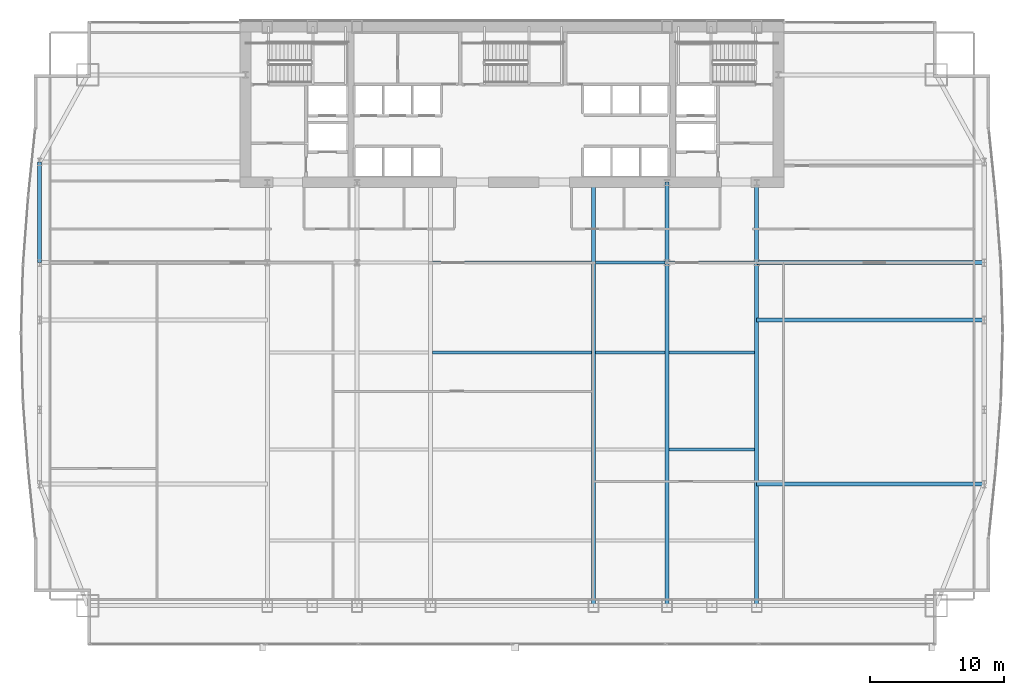
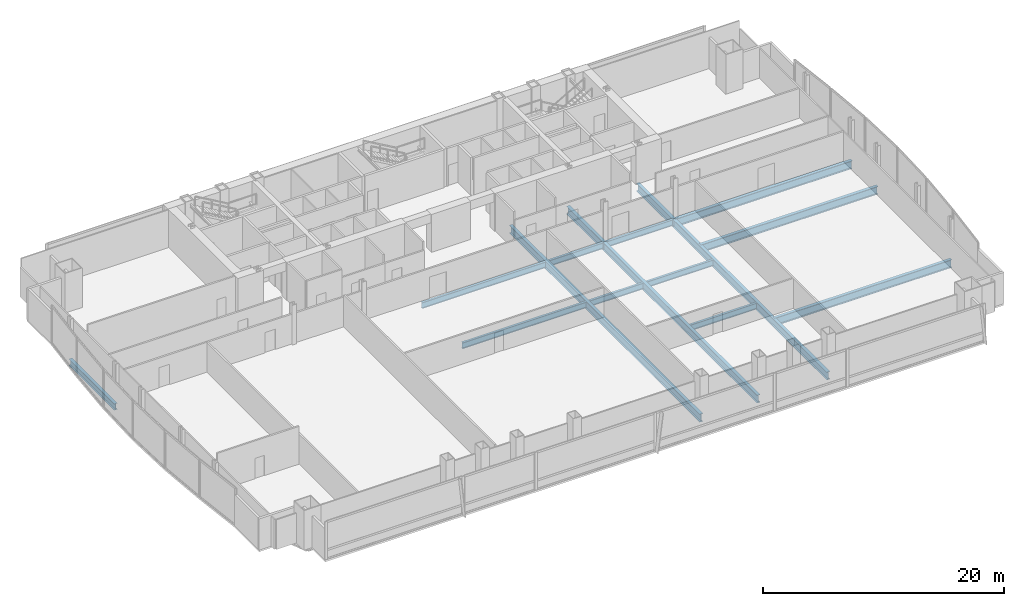
# One storey, part 15 of 32: 16 beams.
"""IFC4 building model written with IfcOpenShell, lengths in metres."""

import ifcopenshell
import ifcopenshell.guid

model = None  # the IFC model being written
_history = None  # IfcOwnerHistory: only IFC2X3 demands one
_inside = {}  # id of a spatial element -> (the spatial element, [elements in it])
_under = {}  # id of a project, library or spatial element -> (it, [spatial elements below it])
_declared = {}  # id of a project -> (the project, [libraries it declares])
_typed = {}  # id of a type object -> (the type object, [elements of that type])
_made_of = {}  # id of a material, layer set ... -> (it, [elements and type objects made of it])


def new_model(schema):
    """Start an empty IFC model of exactly this schema.

    Asked for "IFC4X3", IfcOpenShell would pick the latest addendum, in which some entities
    have other attributes; the version numbers below select the first issue.
    IFC2X3 requires an IfcOwnerHistory on every rooted entity: one is made here for all.
    """
    global model, _history
    if schema == "IFC4X3":
        model = ifcopenshell.file(schema_version=(4, 3, 0, 0))
    else:
        model = ifcopenshell.file(schema=schema)
    _inside.clear()
    _under.clear()
    _declared.clear()
    _typed.clear()
    _made_of.clear()
    _history = None
    if model.schema == "IFC2X3":
        org = make("IfcOrganization", Name="unknown")
        user = make(
            "IfcPersonAndOrganization",
            ThePerson=make("IfcPerson", FamilyName="unknown"),
            TheOrganization=org,
        )
        app = make(
            "IfcApplication",
            ApplicationDeveloper=org,
            Version="unknown",
            ApplicationFullName="unknown",
            ApplicationIdentifier="unknown",
        )
        _history = make(
            "IfcOwnerHistory",
            OwningUser=user,
            OwningApplication=app,
            ChangeAction="ADDED",
            CreationDate=0,
        )
    return model


def make(cls, **values):
    """One entity of the class cls with the attributes given. An attribute that is None is left unset."""
    return model.create_entity(
        cls, **{name: value for name, value in values.items() if value is not None}
    )


def rooted(cls, **values):
    """An entity with a GlobalId (a new one), such as an element, a storey or a relation."""
    return make(cls, GlobalId=ifcopenshell.guid.new(), OwnerHistory=_history, **values)


def si_unit(unit_type, name, prefix=None):
    """IfcSIUnit, for example si_unit("LENGTHUNIT", "METRE", prefix="MILLI")."""
    return make("IfcSIUnit", UnitType=unit_type, Prefix=prefix, Name=name)


def assignment(units):
    """IfcUnitAssignment: the units of a project."""
    return None if units is None else make("IfcUnitAssignment", Units=units)


def point(xyz):
    """IfcCartesianPoint."""
    return None if xyz is None else make("IfcCartesianPoint", Coordinates=xyz)


def direction(xyz):
    """IfcDirection."""
    return None if xyz is None else make("IfcDirection", DirectionRatios=xyz)


def frame(location, z_axis=None, x_axis=None):
    """IfcAxis2Placement3D, a coordinate frame: its origin and axes. An axis left out is left unset."""
    return make(
        "IfcAxis2Placement3D",
        Location=point(location),
        Axis=direction(z_axis),
        RefDirection=direction(x_axis),
    )


def frame_2d(location, x_axis=None):
    """IfcAxis2Placement2D, a coordinate frame in the plane: its origin and x axis."""
    return make(
        "IfcAxis2Placement2D", Location=point(location), RefDirection=direction(x_axis)
    )


def origin():
    """The frame at (0, 0, 0) with its axes left unset."""
    return frame((0.0, 0.0, 0.0))


def origin_2d():
    """The frame at (0, 0) in the plane with its x axis left unset."""
    return frame_2d((0.0, 0.0))


def place(relative_to, where):
    """IfcLocalPlacement: puts the frame where relative to a parent placement (None: the world)."""
    return make(
        "IfcLocalPlacement", PlacementRelTo=relative_to, RelativePlacement=where
    )


def context(
    kind, dimensions, precision=None, world=None, true_north=None, identifier=None
):
    """IfcGeometricRepresentationContext, for example the 3D "Model" context."""
    return make(
        "IfcGeometricRepresentationContext",
        ContextIdentifier=identifier,
        ContextType=kind,
        CoordinateSpaceDimension=dimensions,
        Precision=precision,
        WorldCoordinateSystem=world,
        TrueNorth=true_north,
    )


def subcontext(parent, identifier, kind, view, scale=None):
    """IfcGeometricRepresentationSubContext, for example "Body" below "Model"."""
    return make(
        "IfcGeometricRepresentationSubContext",
        ContextIdentifier=identifier,
        ContextType=kind,
        ParentContext=parent,
        TargetScale=scale,
        TargetView=view,
    )


def project(units=None, contexts=None):
    """IfcProject with its units and contexts."""
    return rooted(
        "IfcProject",
        Name="project",
        RepresentationContexts=contexts,
        UnitsInContext=assignment(units),
    )


def spatial(cls, under=None, at=None, **own):
    """A site, building, storey or space (cls), placed at a placement, below another one or the project."""
    s = rooted(cls, ObjectPlacement=at, **own)
    if under is not None:
        _under.setdefault(under.id(), (under, []))[1].append(s)
    return s


def profile(cls, at=None, kind="AREA", **sizes):
    """A parametric profile (cls). Its sizes go by their IFC names, for example OverallWidth=200.0."""
    return make(cls, ProfileType=kind, Position=at, **sizes)


def i_section(**sizes):
    """IfcIShapeProfileDef."""
    return profile("IfcIShapeProfileDef", **sizes)


def extrude(swept, where, along, depth):
    """IfcExtrudedAreaSolid: the profile swept, set in the frame where, extruded along a direction by depth."""
    return make(
        "IfcExtrudedAreaSolid",
        SweptArea=swept,
        Position=where,
        ExtrudedDirection=direction(along),
        Depth=depth,
    )


def shape(context_of_items, identifier, shape_type, items):
    """IfcShapeRepresentation: the items that make up one representation, for example the "Body"."""
    return make(
        "IfcShapeRepresentation",
        ContextOfItems=context_of_items,
        RepresentationIdentifier=identifier,
        RepresentationType=shape_type,
        Items=items,
    )


def material(Name=None, Category=None):
    """IfcMaterial."""
    return make("IfcMaterial", Name=Name, Category=Category)


def material_profile(
    of_material, cross_section, Name=None, Category=None, Priority=None
):
    """IfcMaterialProfile: a cross section and its material."""
    return make(
        "IfcMaterialProfile",
        Name=Name,
        Material=of_material,
        Profile=cross_section,
        Priority=Priority,
        Category=Category,
    )


def profile_set(profiles, Name=None, composite=None):
    """IfcMaterialProfileSet."""
    return make(
        "IfcMaterialProfileSet",
        Name=Name,
        MaterialProfiles=profiles,
        CompositeProfile=composite,
    )


def made_of(thing, what):
    """Note that an element or type object is made of a material, layer set ...; save() writes the relation."""
    if what is not None:
        _made_of.setdefault(what.id(), (what, []))[1].append(thing)
    return thing


def type_object(cls, material=None, **own):
    """A type object (cls), such as IfcWallType, which elements share."""
    return made_of(rooted(cls, **own), material)


def element(
    cls,
    number,
    at=None,
    inside=None,
    cuts=None,
    type_object=None,
    material=None,
    context=None,
    identifier="Body",
    shape_type=None,
    held_by="IfcProductDefinitionShape",
    body=None,
    shapes=None,
    **own,
):
    """One element of the class cls, such as IfcWall. Its Tag is "e" and its number.

    at: its placement. inside: the storey or other place that contains it. cuts: it is an
    opening in that element (IfcRelVoidsElement). A single representation is given by context,
    identifier, shape_type and body (its items); several are given by shapes. held_by: the class
    of the entity that holds the representations. save() writes the other relations.
    """
    e = rooted(cls, Tag="e%d" % number, ObjectPlacement=at, **own)
    if body is not None:
        shapes = [shape(context, identifier, shape_type, body)]
    if shapes is not None:
        e.Representation = make(held_by, Representations=shapes)
    if inside is not None:
        _inside.setdefault(inside.id(), (inside, []))[1].append(e)
    if cuts is not None:
        rooted(
            "IfcRelVoidsElement", RelatingBuildingElement=cuts, RelatedOpeningElement=e
        )
    if type_object is not None:
        _typed.setdefault(type_object.id(), (type_object, []))[1].append(e)
    return made_of(e, material)


def aggregate(whole, parts):
    """IfcRelAggregates: a whole, such as a stair, and the parts it consists of."""
    return rooted("IfcRelAggregates", RelatingObject=whole, RelatedObjects=parts)


def save(model, path):
    """Write the relations noted so far, then the file.

    IfcRelAggregates (storeys below a building ...), IfcRelContainedInSpatialStructure (elements
    in a storey), IfcRelDefinesByType, IfcRelAssociatesMaterial and IfcRelDeclares: one each for
    every whole, place, type object, material and project.
    """
    for whole, parts in _under.values():
        aggregate(whole, parts)
    for where, things in _inside.values():
        rooted(
            "IfcRelContainedInSpatialStructure",
            RelatedElements=things,
            RelatingStructure=where,
        )
    for kind, things in _typed.values():
        rooted("IfcRelDefinesByType", RelatedObjects=things, RelatingType=kind)
    for what, things in _made_of.values():
        rooted("IfcRelAssociatesMaterial", RelatedObjects=things, RelatingMaterial=what)
    for by, libraries in _declared.values():
        rooted("IfcRelDeclares", RelatingContext=by, RelatedDefinitions=libraries)
    model.write(path)


model = new_model("IFC4")

# Units and contexts
model_context = context("Model", 3, precision=1e-05, world=origin(), true_north=direction((0.0, 1.0)))
body_context = subcontext(model_context, "Body", "Model", "MODEL_VIEW")
ifc_project = project(units=[si_unit("LENGTHUNIT", "METRE"), si_unit("AREAUNIT", "SQUARE_METRE"), si_unit("VOLUMEUNIT", "CUBIC_METRE"), si_unit("PLANEANGLEUNIT", "RADIAN"), si_unit("MASSUNIT", "GRAM", prefix="KILO")], contexts=[model_context])

# Site, building, storey
site_placement = place(None, origin())
site = spatial("IfcSite", under=ifc_project, at=site_placement, CompositionType="ELEMENT")
building_placement = place(site_placement, origin())
building = spatial("IfcBuilding", under=site, at=building_placement, Name="Khoronbel Lancet Exchange", CompositionType="ELEMENT")
storey_placement = place(building_placement, frame((0.0, 0.0, 29.800048828125)))
storey = spatial("IfcBuildingStorey", under=building, at=storey_placement, Name="L06", CompositionType="ELEMENT", Elevation=29.800048828125)

# Beams
ifc_material = material(Name="Steel S355", Category="steel")
ifc_material_profile_1 = material_profile(ifc_material, i_section(OverallWidth=0.300048828125, OverallDepth=0.800048828125, WebThickness=0.017578125, FlangeThickness=0.032958984375, at=origin_2d()), Name="HEB 800")
ifc_profile_set_1 = profile_set([ifc_material_profile_1], Name="Steel S355")
beam_type_1 = type_object("IfcBeamType", Name="BM-BG2", PredefinedType="BEAM", material=ifc_profile_set_1)
beam_1_placement = place(storey_placement, frame((42.52490234375, 10.14990234375, -0.580078125), z_axis=(0.0, 1.0, 0.0), x_axis=(-1.0, 0.0, 0.0)))
element("IfcBeam", 1, at=beam_1_placement, inside=storey, type_object=beam_type_1, Name="Level L06 primary floor girder G4", PredefinedType="BEAM", context=body_context, shape_type="SweptSolid", body=[
    extrude(i_section(OverallWidth=0.300048828125, OverallDepth=0.800048828125, WebThickness=0.017578125, FlangeThickness=0.032958984375, at=origin_2d()), origin(), (0.0, 0.0, 1.0), 31.550048828125),
])
beam_2_placement = place(storey_placement, frame((48.0, 10.14990234375, -0.580078125), z_axis=(0.0, 1.0, 0.0), x_axis=(-1.0, 0.0, 0.0)))
element("IfcBeam", 2, at=beam_2_placement, inside=storey, type_object=beam_type_1, Name="Level L06 south primary girder GS5", PredefinedType="BEAM", context=body_context, shape_type="SweptSolid", body=[
    extrude(i_section(OverallWidth=0.300048828125, OverallDepth=0.800048828125, WebThickness=0.017578125, FlangeThickness=0.032958984375, at=origin_2d()), origin(), (0.0, 0.0, 1.0), 25.550048828125),
])
beam_3_placement = place(storey_placement, frame((48.0, 35.699951171875, -0.580078125), z_axis=(0.0, 1.0, 0.0), x_axis=(-1.0, 0.0, 0.0)))
element("IfcBeam", 3, at=beam_3_placement, inside=storey, type_object=beam_type_1, Name="Level L06 spine tie girder GN5", PredefinedType="BEAM", context=body_context, shape_type="SweptSolid", body=[
    extrude(i_section(OverallWidth=0.300048828125, OverallDepth=0.800048828125, WebThickness=0.017578125, FlangeThickness=0.032958984375, at=origin_2d()), origin(), (0.0, 0.0, 1.0), 6.0),
])
beam_4_placement = place(storey_placement, frame((54.675048828125, 10.14990234375, -0.580078125), z_axis=(0.0, 1.0, 0.0), x_axis=(-1.0, 0.0, 0.0)))
element("IfcBeam", 4, at=beam_4_placement, inside=storey, type_object=beam_type_1, Name="Level L06 south primary girder GS6", PredefinedType="BEAM", context=body_context, shape_type="SweptSolid", body=[
    extrude(i_section(OverallWidth=0.300048828125, OverallDepth=0.800048828125, WebThickness=0.017578125, FlangeThickness=0.032958984375, at=origin_2d()), origin(), (0.0, 0.0, 1.0), 25.550048828125),
])
beam_5_placement = place(storey_placement, frame((54.675048828125, 35.699951171875, -0.580078125), z_axis=(0.0, 1.0, 0.0), x_axis=(-1.0, 0.0, 0.0)))
element("IfcBeam", 5, at=beam_5_placement, inside=storey, type_object=beam_type_1, Name="Level L06 spine tie girder GN6", PredefinedType="BEAM", context=body_context, shape_type="SweptSolid", body=[
    extrude(i_section(OverallWidth=0.300048828125, OverallDepth=0.800048828125, WebThickness=0.017578125, FlangeThickness=0.032958984375, at=origin_2d()), origin(), (0.0, 0.0, 1.0), 6.0),
])
for number, where, z_axis, x_axis, name in (
    (6, (54.675048828125, 19.199951171875, -0.580078125), (1.0, 0.0, 0.0), (0.0, 1.0, 0.0), "Level L06 east lens tie girder LG1E"),
    (7, (54.675048828125, 31.425048828125, -0.580078125), (1.0, 0.0, 0.0), (0.0, 1.0, 0.0), "Level L06 east lens tie girder LG2E"),
    (8, (54.675048828125, 35.699951171875, -0.580078125), (1.0, 0.0, 0.0), (0.0, 1.0, 0.0), "Level L06 east lens tie girder LG4E"),
):
    element("IfcBeam", number, at=place(storey_placement, frame(where, z_axis=z_axis, x_axis=x_axis)), inside=storey, type_object=beam_type_1, Name=name, PredefinedType="BEAM", context=body_context, shape_type="SweptSolid", body=[
        extrude(i_section(OverallWidth=0.300048828125, OverallDepth=0.800048828125, WebThickness=0.017578125, FlangeThickness=0.032958984375, at=origin_2d()), origin(), (0.0, 0.0, 1.0), 16.954833984375),
    ])
ifc_material_profile_2 = material_profile(ifc_material, i_section(OverallWidth=0.219970703125, OverallDepth=0.60009765625, WebThickness=0.011962890625, FlangeThickness=0.01904296875, at=origin_2d()), Name="IPE 600")
ifc_profile_set_2 = profile_set([ifc_material_profile_2], Name="Steel S355")
beam_type_2 = type_object("IfcBeamType", Name="BM-BJ1", PredefinedType="JOIST", material=ifc_profile_set_2)
beam_6_placement = place(storey_placement, frame((48.14990234375, 21.800048828125, -0.47998046875), z_axis=(1.0, 0.0, 0.0), x_axis=(0.0, 1.0, 0.0)))
element("IfcBeam", 9, at=beam_6_placement, inside=storey, type_object=beam_type_2, Name="Level L06 secondary composite joist J10", PredefinedType="JOIST", context=body_context, shape_type="SweptSolid", body=[
    extrude(i_section(OverallWidth=0.219970703125, OverallDepth=0.60009765625, WebThickness=0.011962890625, FlangeThickness=0.01904296875, at=origin_2d()), origin(), (0.0, 0.0, 1.0), 6.375),
])
beam_7_placement = place(storey_placement, frame((30.52490234375, 29.0, -0.47998046875), z_axis=(1.0, 0.0, 0.0), x_axis=(0.0, 1.0, 0.0)))
element("IfcBeam", 10, at=beam_7_placement, inside=storey, type_object=beam_type_2, Name="Level L06 secondary composite joist J13", PredefinedType="JOIST", context=body_context, shape_type="SweptSolid", body=[
    extrude(i_section(OverallWidth=0.219970703125, OverallDepth=0.60009765625, WebThickness=0.011962890625, FlangeThickness=0.01904296875, at=origin_2d()), origin(), (0.0, 0.0, 1.0), 11.85009765625),
])
beam_8_placement = place(storey_placement, frame((42.675048828125, 29.0, -0.47998046875), z_axis=(1.0, 0.0, 0.0), x_axis=(0.0, 1.0, 0.0)))
element("IfcBeam", 11, at=beam_8_placement, inside=storey, type_object=beam_type_2, Name="Level L06 secondary composite joist J14", PredefinedType="JOIST", context=body_context, shape_type="SweptSolid", body=[
    extrude(i_section(OverallWidth=0.219970703125, OverallDepth=0.60009765625, WebThickness=0.011962890625, FlangeThickness=0.01904296875, at=origin_2d()), origin(), (0.0, 0.0, 1.0), 5.175048828125),
])
beam_9_placement = place(storey_placement, frame((48.14990234375, 29.0, -0.47998046875), z_axis=(1.0, 0.0, 0.0), x_axis=(0.0, 1.0, 0.0)))
element("IfcBeam", 12, at=beam_9_placement, inside=storey, type_object=beam_type_2, Name="Level L06 secondary composite joist J15", PredefinedType="JOIST", context=body_context, shape_type="SweptSolid", body=[
    extrude(i_section(OverallWidth=0.219970703125, OverallDepth=0.60009765625, WebThickness=0.011962890625, FlangeThickness=0.01904296875, at=origin_2d()), origin(), (0.0, 0.0, 1.0), 6.375),
])
beam_10_placement = place(storey_placement, frame((30.52490234375, 35.699951171875, -0.47998046875), z_axis=(1.0, 0.0, 0.0), x_axis=(0.0, 1.0, 0.0)))
element("IfcBeam", 13, at=beam_10_placement, inside=storey, type_object=beam_type_2, Name="Level L06 secondary composite joist J18", PredefinedType="JOIST", context=body_context, shape_type="SweptSolid", body=[
    extrude(i_section(OverallWidth=0.219970703125, OverallDepth=0.60009765625, WebThickness=0.011962890625, FlangeThickness=0.01904296875, at=origin_2d()), origin(), (0.0, 0.0, 1.0), 11.85009765625),
])
beam_11_placement = place(storey_placement, frame((42.675048828125, 35.699951171875, -0.47998046875), z_axis=(1.0, 0.0, 0.0), x_axis=(0.0, 1.0, 0.0)))
element("IfcBeam", 14, at=beam_11_placement, inside=storey, type_object=beam_type_2, Name="Level L06 secondary composite joist J19", PredefinedType="JOIST", context=body_context, shape_type="SweptSolid", body=[
    extrude(i_section(OverallWidth=0.219970703125, OverallDepth=0.60009765625, WebThickness=0.011962890625, FlangeThickness=0.01904296875, at=origin_2d()), origin(), (0.0, 0.0, 1.0), 5.175048828125),
])
beam_12_placement = place(storey_placement, frame((48.14990234375, 35.699951171875, -0.47998046875), z_axis=(1.0, 0.0, 0.0), x_axis=(0.0, 1.0, 0.0)))
element("IfcBeam", 15, at=beam_12_placement, inside=storey, type_object=beam_type_2, Name="Level L06 secondary composite joist J20", PredefinedType="JOIST", context=body_context, shape_type="SweptSolid", body=[
    extrude(i_section(OverallWidth=0.219970703125, OverallDepth=0.60009765625, WebThickness=0.011962890625, FlangeThickness=0.01904296875, at=origin_2d()), origin(), (0.0, 0.0, 1.0), 6.375),
])
ifc_material_profile_3 = material_profile(ifc_material, i_section(OverallWidth=0.300048828125, OverallDepth=0.64990234375, WebThickness=0.01611328125, FlangeThickness=0.031005859375, at=origin_2d()), Name="HEB 650")
ifc_profile_set_3 = profile_set([ifc_material_profile_3], Name="Steel S355")
beam_type_3 = type_object("IfcBeamType", Name="BM-BSP1", PredefinedType="SPANDREL", material=ifc_profile_set_3)
beam_13_placement = place(storey_placement, frame((1.27001953125, 43.199951171875, -0.505126953125), z_axis=(0.0, -1.0, 0.0), x_axis=(1.0, 0.0, 0.0)))
element("IfcBeam", 16, at=beam_13_placement, inside=storey, type_object=beam_type_3, Name="Level L06 perimeter spandrel beam SP17", PredefinedType="SPANDREL", context=body_context, shape_type="SweptSolid", body=[
    extrude(i_section(OverallWidth=0.300048828125, OverallDepth=0.64990234375, WebThickness=0.01611328125, FlangeThickness=0.031005859375, at=origin_2d()), origin(), (0.0, 0.0, 1.0), 7.5),
])

save(model, "model.ifc")
